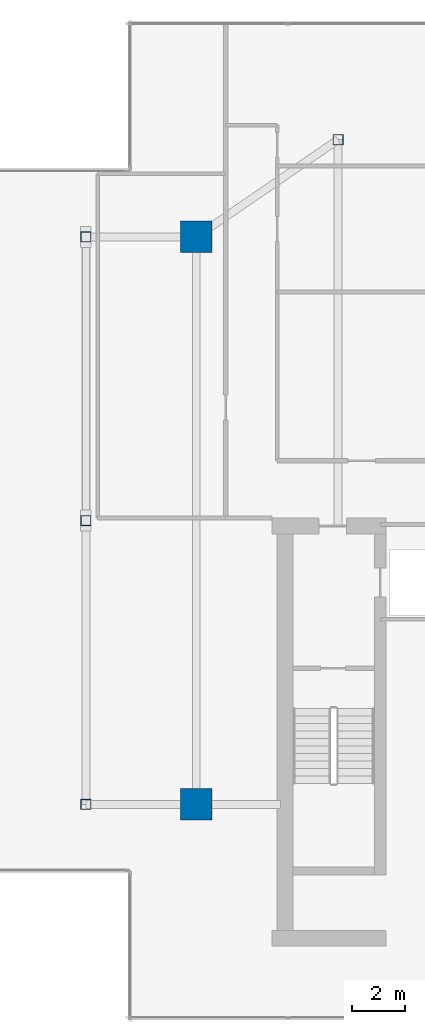
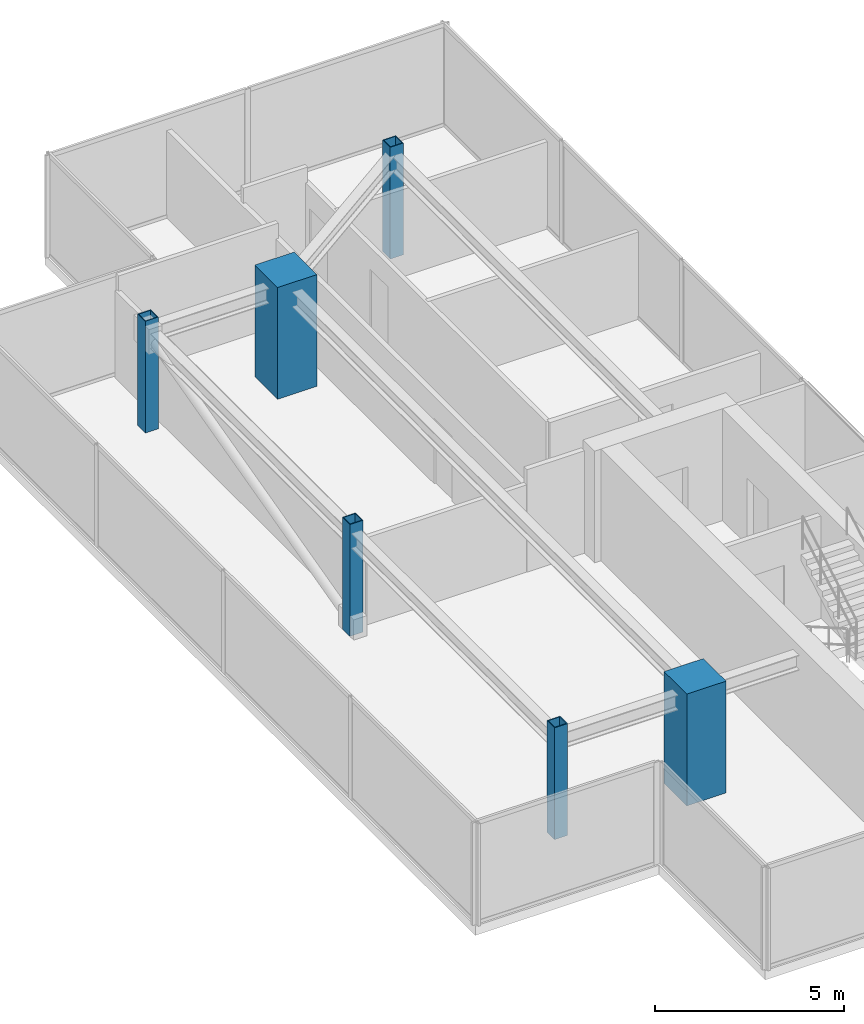
# One storey, part 1 of 16: 6 columns.
"""IFC4 building model written with IfcOpenShell, lengths in metres."""

from ifc_helpers import new_model, si_unit, direction, frame, origin, origin_2d, place, context, subcontext, project, spatial, rectangle, hollow_rectangle, extrude, source, transform, mapped, material, material_profile, profile_set, type_object, type_shapes, element, save


model = new_model("IFC4")

# Units and contexts
model_context = context("Model", 3, precision=1e-05, world=origin(), true_north=direction((0.0, 1.0)))
body_context = subcontext(model_context, "Body", "Model", "MODEL_VIEW")
ifc_project = project(units=[si_unit("LENGTHUNIT", "METRE"), si_unit("AREAUNIT", "SQUARE_METRE"), si_unit("VOLUMEUNIT", "CUBIC_METRE"), si_unit("PLANEANGLEUNIT", "RADIAN"), si_unit("MASSUNIT", "GRAM", prefix="KILO")], contexts=[model_context])

# Site, building, storey
site_placement = place(None, origin())
site = spatial("IfcSite", under=ifc_project, at=site_placement, CompositionType="ELEMENT")
building_placement = place(site_placement, origin())
building = spatial("IfcBuilding", under=site, at=building_placement, Name="Krantzveldt Concourse Tower", CompositionType="ELEMENT")
storey_placement = place(building_placement, frame((0.0, 0.0, 381.85009765625)))
storey = spatial("IfcBuildingStorey", under=building, at=storey_placement, Name="L94", CompositionType="ELEMENT", Elevation=381.85009765625)

# Columns
ifc_material_1 = material(Name="Concrete C50/60", Category="concrete")
ifc_material_profile_1 = material_profile(ifc_material_1, rectangle(XDim=1.199951171875, YDim=1.199951171875, at=origin_2d()), Name="Concrete C50/60", Category="concrete")
ifc_profile_set_1 = profile_set([ifc_material_profile_1], Name="Concrete C50/60 - RC 1200x1200")
column_type_1 = type_object("IfcColumnType", Name="COL-MC-1200", PredefinedType="USERDEFINED", material=ifc_profile_set_1)
shared_shape_1 = source(origin(), body_context, "Body", "SweptSolid", [
    extrude(rectangle(XDim=1.199951171875, YDim=1.199951171875, at=origin_2d()), origin(), (0.0, 0.0, 1.0), 3.599853515625),
])
type_shapes(column_type_1, [shared_shape_1])
for number, where, z_axis, x_axis, name in (
    (1, (25.199951171875, 15.89990234375, 0.0), (0.0, 0.0, 1.0), (1.0, 0.0, 0.0), "MC-SW-L94"),
    (2, (25.199951171875, 37.5, 0.0), (0.0, 0.0, 1.0), (1.0, 0.0, 0.0), "MC-NW-L94"),
):
    element("IfcColumn", number, at=place(storey_placement, frame(where, z_axis=z_axis, x_axis=x_axis)), inside=storey, type_object=column_type_1, Name=name, ObjectType="MEGA COLUMN", PredefinedType="USERDEFINED", context=body_context, shape_type="MappedRepresentation", body=[
        mapped(shared_shape_1, transform((0.0, 0.0, 0.0), x_axis=(1.0, 0.0, 0.0), y_axis=(0.0, 1.0, 0.0), z_axis=(0.0, 0.0, 1.0), scale=1.0)),
    ])
ifc_material_2 = material(Name="Steel S355J2", Category="steel")
ifc_material_profile_2 = material_profile(ifc_material_2, hollow_rectangle(XDim=0.39990234375, YDim=0.39990234375, WallThickness=0.02490234375, at=origin_2d()), Name="Steel S355J2", Category="steel")
ifc_profile_set_2 = profile_set([ifc_material_profile_2], Name="Steel S355J2 - SHS 400x400x25")
column_type_2 = type_object("IfcColumnType", Name="COL-SC-SHS400", PredefinedType="COLUMN", material=ifc_profile_set_2)
shared_shape_2 = source(origin(), body_context, "Body", "SweptSolid", [
    extrude(hollow_rectangle(XDim=0.39990234375, YDim=0.39990234375, WallThickness=0.02490234375, at=origin_2d()), origin(), (0.0, 0.0, 1.0), 3.599853515625),
])
type_shapes(column_type_2, [shared_shape_2])
for number, where, z_axis, x_axis, name in (
    (3, (21.0, 15.89990234375, 0.0), (0.0, 0.0, 1.0), (1.0, 0.0, 0.0), "CC-L94-W1"),
    (4, (21.0, 26.699951171875, 0.0), (0.0, 0.0, 1.0), (1.0, 0.0, 0.0), "CC-L94-W2"),
    (5, (21.0, 37.5, 0.0), (0.0, 0.0, 1.0), (1.0, 0.0, 0.0), "CC-L94-W3"),
    (6, (30.60009765625, 41.199951171875, 0.0), (0.0, 0.0, 1.0), (1.0, 0.0, 0.0), "CC-L94-W4"),
):
    element("IfcColumn", number, at=place(storey_placement, frame(where, z_axis=z_axis, x_axis=x_axis)), inside=storey, type_object=column_type_2, Name=name, PredefinedType="COLUMN", context=body_context, shape_type="MappedRepresentation", body=[
        mapped(shared_shape_2, transform((0.0, 0.0, 0.0), x_axis=(1.0, 0.0, 0.0), y_axis=(0.0, 1.0, 0.0), z_axis=(0.0, 0.0, 1.0), scale=1.0)),
    ])

save(model, "model.ifc")
